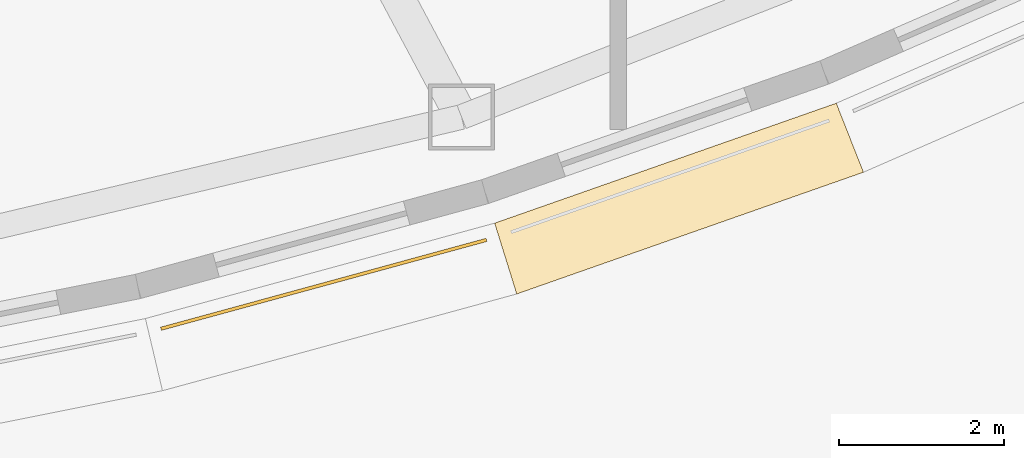
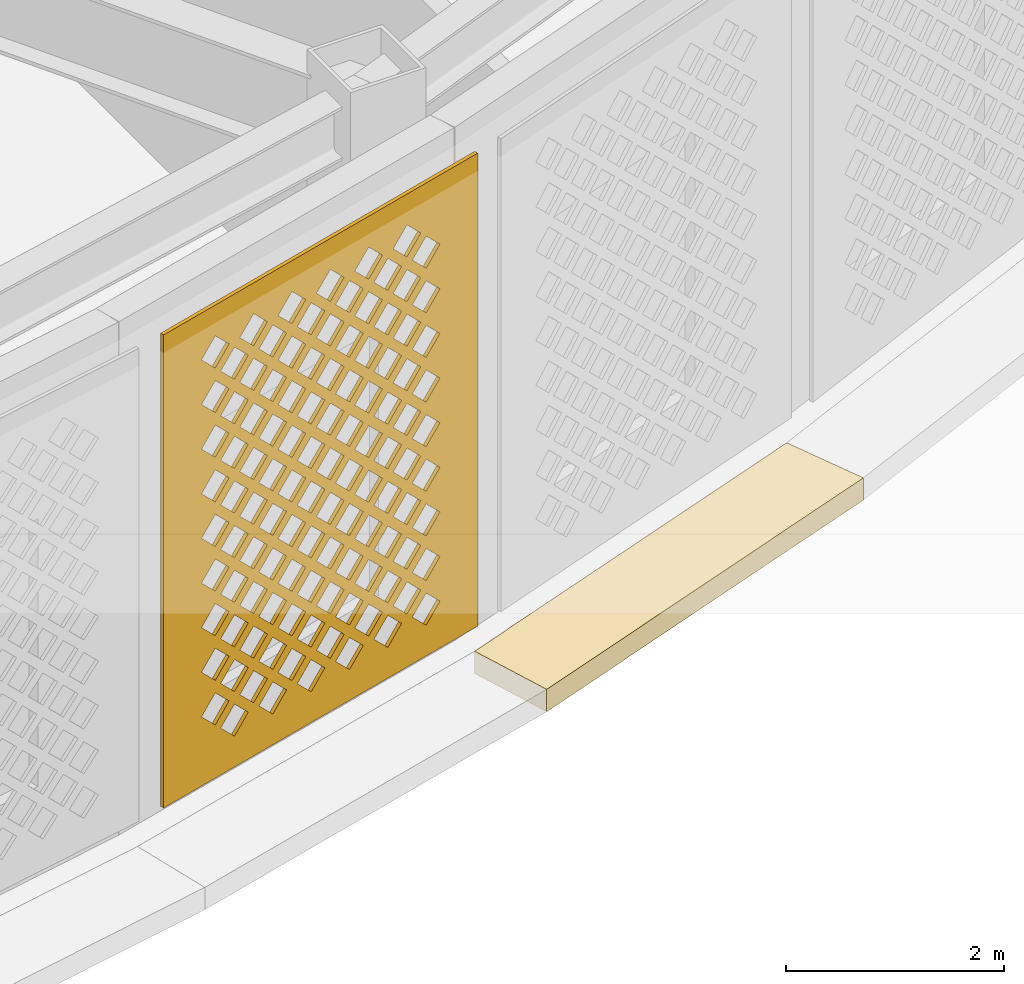
# One storey, part 61 of 74: 2 coverings.
"""IFC4 building model written with IfcOpenShell, lengths in metres."""

from ifc_helpers import new_model, si_unit, direction, frame, origin, place, context, subcontext, project, spatial, polyline, outline, extrude, material, layer, layer_set, type_object, element, save


model = new_model("IFC4")

# Units and contexts
model_context = context("Model", 3, precision=1e-05, world=origin(), true_north=direction((0.0, 1.0)))
body_context = subcontext(model_context, "Body", "Model", "MODEL_VIEW")
ifc_project = project(units=[si_unit("LENGTHUNIT", "METRE"), si_unit("AREAUNIT", "SQUARE_METRE"), si_unit("VOLUMEUNIT", "CUBIC_METRE"), si_unit("PLANEANGLEUNIT", "RADIAN"), si_unit("MASSUNIT", "GRAM", prefix="KILO")], contexts=[model_context])

# Site, building, storey
site_placement = place(None, origin())
site = spatial("IfcSite", under=ifc_project, at=site_placement, CompositionType="ELEMENT")
building_placement = place(site_placement, origin())
building = spatial("IfcBuilding", under=site, at=building_placement, Name="Noorbagh Ring Tower", CompositionType="ELEMENT")
storey_placement = place(building_placement, frame((0.0, 0.0, 7.5)))
storey = spatial("IfcBuildingStorey", under=building, at=storey_placement, Name="L01", CompositionType="ELEMENT", Elevation=7.5)

# Coverings
ifc_material_1 = material(Name="Red sandstone eave", Category="masonry")
covering_type_1 = type_object("IfcCoveringType", Name="STY-CHHAJJA", PredefinedType="USERDEFINED", material=ifc_material_1)
covering_1_placement = place(storey_placement, frame((0.0, 0.0, -0.25)))
element("IfcCovering", 1, at=covering_1_placement, inside=storey, type_object=covering_type_1, Name="Chhajja eave", ObjectType="CHHAJJA", PredefinedType="USERDEFINED", context=body_context, shape_type="SweptSolid", body=[
    extrude(outline(polyline([(19.49853515625, -37.081298828125), (23.647216796875, -35.624755859375), (23.976806640625, -36.462890625), (19.7666015625, -37.941162109375), (19.49853515625, -37.081298828125)])), origin(), (0.0, 0.0, 1.0), 0.25),
])
ifc_material_2 = material(Name="Red sandstone jali", Category="masonry")
ifc_layer = layer(ifc_material_2, 0.0400390625)
ifc_layer_set = layer_set([ifc_layer], Name="Red sandstone jali")
covering_type_2 = type_object("IfcCoveringType", Name="STY-JALI", PredefinedType="USERDEFINED", material=ifc_layer_set)
covering_2_placement = place(storey_placement, frame((15.45166015625, -38.38330078125, 0.449951171875), z_axis=(0.26339977228, -0.964686767797, 0.0), x_axis=(0.964686767797, 0.26339977228, 0.0)))
element("IfcCovering", 2, at=covering_2_placement, inside=storey, type_object=covering_type_2, Name="Jali screen", ObjectType="SCREEN", PredefinedType="USERDEFINED", context=body_context, shape_type="SweptSolid", body=[
    extrude(outline(polyline([(0.0, 0.0), (4.096923828125, 0.0), (4.096923828125, 5.300048828125), (0.0, 5.300048828125), (0.0, 0.0)]), holes=[polyline([(0.743408203125, 0.52490234375), (0.923583984375, 0.344970703125), (1.103515625, 0.52490234375), (0.923583984375, 0.705078125), (0.743408203125, 0.52490234375)]), polyline([(1.243408203125, 0.52490234375), (1.423583984375, 0.344970703125), (1.603515625, 0.52490234375), (1.423583984375, 0.705078125), (1.243408203125, 0.52490234375)]), polyline([(1.743408203125, 0.52490234375), (1.923583984375, 0.344970703125), (2.103515625, 0.52490234375), (1.923583984375, 0.705078125), (1.743408203125, 0.52490234375)]), polyline([(2.243408203125, 0.52490234375), (2.423583984375, 0.344970703125), (2.603515625, 0.52490234375), (2.423583984375, 0.705078125), (2.243408203125, 0.52490234375)]), polyline([(2.743408203125, 0.52490234375), (2.923583984375, 0.344970703125), (3.103515625, 0.52490234375), (2.923583984375, 0.705078125), (2.743408203125, 0.52490234375)]), polyline([(3.243408203125, 0.52490234375), (3.423583984375, 0.344970703125), (3.603515625, 0.52490234375), (3.423583984375, 0.705078125), (3.243408203125, 0.52490234375)]), polyline([(0.493408203125, 0.77490234375), (0.673583984375, 0.594970703125), (0.853515625, 0.77490234375), (0.673583984375, 0.955078125), (0.493408203125, 0.77490234375)]), polyline([(0.993408203125, 0.77490234375), (1.173583984375, 0.594970703125), (1.353515625, 0.77490234375), (1.173583984375, 0.955078125), (0.993408203125, 0.77490234375)]), polyline([(1.493408203125, 0.77490234375), (1.673583984375, 0.594970703125), (1.853515625, 0.77490234375), (1.673583984375, 0.955078125), (1.493408203125, 0.77490234375)]), polyline([(1.993408203125, 0.77490234375), (2.173583984375, 0.594970703125), (2.353515625, 0.77490234375), (2.173583984375, 0.955078125), (1.993408203125, 0.77490234375)]), polyline([(2.493408203125, 0.77490234375), (2.673583984375, 0.594970703125), (2.853515625, 0.77490234375), (2.673583984375, 0.955078125), (2.493408203125, 0.77490234375)]), polyline([(2.993408203125, 0.77490234375), (3.173583984375, 0.594970703125), (3.353515625, 0.77490234375), (3.173583984375, 0.955078125), (2.993408203125, 0.77490234375)]), polyline([(0.743408203125, 1.02490234375), (0.923583984375, 0.844970703125), (1.103515625, 1.02490234375), (0.923583984375, 1.205078125), (0.743408203125, 1.02490234375)]), polyline([(1.243408203125, 1.02490234375), (1.423583984375, 0.844970703125), (1.603515625, 1.02490234375), (1.423583984375, 1.205078125), (1.243408203125, 1.02490234375)]), polyline([(1.743408203125, 1.02490234375), (1.923583984375, 0.844970703125), (2.103515625, 1.02490234375), (1.923583984375, 1.205078125), (1.743408203125, 1.02490234375)]), polyline([(2.243408203125, 1.02490234375), (2.423583984375, 0.844970703125), (2.603515625, 1.02490234375), (2.423583984375, 1.205078125), (2.243408203125, 1.02490234375)]), polyline([(2.743408203125, 1.02490234375), (2.923583984375, 0.844970703125), (3.103515625, 1.02490234375), (2.923583984375, 1.205078125), (2.743408203125, 1.02490234375)]), polyline([(3.243408203125, 1.02490234375), (3.423583984375, 0.844970703125), (3.603515625, 1.02490234375), (3.423583984375, 1.205078125), (3.243408203125, 1.02490234375)]), polyline([(0.493408203125, 1.27490234375), (0.673583984375, 1.094970703125), (0.853515625, 1.27490234375), (0.673583984375, 1.455078125), (0.493408203125, 1.27490234375)]), polyline([(0.993408203125, 1.27490234375), (1.173583984375, 1.094970703125), (1.353515625, 1.27490234375), (1.173583984375, 1.455078125), (0.993408203125, 1.27490234375)]), polyline([(1.493408203125, 1.27490234375), (1.673583984375, 1.094970703125), (1.853515625, 1.27490234375), (1.673583984375, 1.455078125), (1.493408203125, 1.27490234375)]), polyline([(1.993408203125, 1.27490234375), (2.173583984375, 1.094970703125), (2.353515625, 1.27490234375), (2.173583984375, 1.455078125), (1.993408203125, 1.27490234375)]), polyline([(2.493408203125, 1.27490234375), (2.673583984375, 1.094970703125), (2.853515625, 1.27490234375), (2.673583984375, 1.455078125), (2.493408203125, 1.27490234375)]), polyline([(2.993408203125, 1.27490234375), (3.173583984375, 1.094970703125), (3.353515625, 1.27490234375), (3.173583984375, 1.455078125), (2.993408203125, 1.27490234375)]), polyline([(0.743408203125, 1.52490234375), (0.923583984375, 1.344970703125), (1.103515625, 1.52490234375), (0.923583984375, 1.705078125), (0.743408203125, 1.52490234375)]), polyline([(1.243408203125, 1.52490234375), (1.423583984375, 1.344970703125), (1.603515625, 1.52490234375), (1.423583984375, 1.705078125), (1.243408203125, 1.52490234375)]), polyline([(1.743408203125, 1.52490234375), (1.923583984375, 1.344970703125), (2.103515625, 1.52490234375), (1.923583984375, 1.705078125), (1.743408203125, 1.52490234375)]), polyline([(2.243408203125, 1.52490234375), (2.423583984375, 1.344970703125), (2.603515625, 1.52490234375), (2.423583984375, 1.705078125), (2.243408203125, 1.52490234375)]), polyline([(2.743408203125, 1.52490234375), (2.923583984375, 1.344970703125), (3.103515625, 1.52490234375), (2.923583984375, 1.705078125), (2.743408203125, 1.52490234375)]), polyline([(3.243408203125, 1.52490234375), (3.423583984375, 1.344970703125), (3.603515625, 1.52490234375), (3.423583984375, 1.705078125), (3.243408203125, 1.52490234375)]), polyline([(0.493408203125, 1.77490234375), (0.673583984375, 1.594970703125), (0.853515625, 1.77490234375), (0.673583984375, 1.955078125), (0.493408203125, 1.77490234375)]), polyline([(0.993408203125, 1.77490234375), (1.173583984375, 1.594970703125), (1.353515625, 1.77490234375), (1.173583984375, 1.955078125), (0.993408203125, 1.77490234375)]), polyline([(1.493408203125, 1.77490234375), (1.673583984375, 1.594970703125), (1.853515625, 1.77490234375), (1.673583984375, 1.955078125), (1.493408203125, 1.77490234375)]), polyline([(1.993408203125, 1.77490234375), (2.173583984375, 1.594970703125), (2.353515625, 1.77490234375), (2.173583984375, 1.955078125), (1.993408203125, 1.77490234375)]), polyline([(2.493408203125, 1.77490234375), (2.673583984375, 1.594970703125), (2.853515625, 1.77490234375), (2.673583984375, 1.955078125), (2.493408203125, 1.77490234375)]), polyline([(2.993408203125, 1.77490234375), (3.173583984375, 1.594970703125), (3.353515625, 1.77490234375), (3.173583984375, 1.955078125), (2.993408203125, 1.77490234375)]), polyline([(0.743408203125, 2.02490234375), (0.923583984375, 1.844970703125), (1.103515625, 2.02490234375), (0.923583984375, 2.205078125), (0.743408203125, 2.02490234375)]), polyline([(1.243408203125, 2.02490234375), (1.423583984375, 1.844970703125), (1.603515625, 2.02490234375), (1.423583984375, 2.205078125), (1.243408203125, 2.02490234375)]), polyline([(1.743408203125, 2.02490234375), (1.923583984375, 1.844970703125), (2.103515625, 2.02490234375), (1.923583984375, 2.205078125), (1.743408203125, 2.02490234375)]), polyline([(2.243408203125, 2.02490234375), (2.423583984375, 1.844970703125), (2.603515625, 2.02490234375), (2.423583984375, 2.205078125), (2.243408203125, 2.02490234375)]), polyline([(2.743408203125, 2.02490234375), (2.923583984375, 1.844970703125), (3.103515625, 2.02490234375), (2.923583984375, 2.205078125), (2.743408203125, 2.02490234375)]), polyline([(3.243408203125, 2.02490234375), (3.423583984375, 1.844970703125), (3.603515625, 2.02490234375), (3.423583984375, 2.205078125), (3.243408203125, 2.02490234375)]), polyline([(0.493408203125, 2.27490234375), (0.673583984375, 2.094970703125), (0.853515625, 2.27490234375), (0.673583984375, 2.455078125), (0.493408203125, 2.27490234375)]), polyline([(0.993408203125, 2.27490234375), (1.173583984375, 2.094970703125), (1.353515625, 2.27490234375), (1.173583984375, 2.455078125), (0.993408203125, 2.27490234375)]), polyline([(1.493408203125, 2.27490234375), (1.673583984375, 2.094970703125), (1.853515625, 2.27490234375), (1.673583984375, 2.455078125), (1.493408203125, 2.27490234375)]), polyline([(1.993408203125, 2.27490234375), (2.173583984375, 2.094970703125), (2.353515625, 2.27490234375), (2.173583984375, 2.455078125), (1.993408203125, 2.27490234375)]), polyline([(2.493408203125, 2.27490234375), (2.673583984375, 2.094970703125), (2.853515625, 2.27490234375), (2.673583984375, 2.455078125), (2.493408203125, 2.27490234375)]), polyline([(2.993408203125, 2.27490234375), (3.173583984375, 2.094970703125), (3.353515625, 2.27490234375), (3.173583984375, 2.455078125), (2.993408203125, 2.27490234375)]), polyline([(0.743408203125, 2.52490234375), (0.923583984375, 2.344970703125), (1.103515625, 2.52490234375), (0.923583984375, 2.705078125), (0.743408203125, 2.52490234375)]), polyline([(1.243408203125, 2.52490234375), (1.423583984375, 2.344970703125), (1.603515625, 2.52490234375), (1.423583984375, 2.705078125), (1.243408203125, 2.52490234375)]), polyline([(1.743408203125, 2.52490234375), (1.923583984375, 2.344970703125), (2.103515625, 2.52490234375), (1.923583984375, 2.705078125), (1.743408203125, 2.52490234375)]), polyline([(2.243408203125, 2.52490234375), (2.423583984375, 2.344970703125), (2.603515625, 2.52490234375), (2.423583984375, 2.705078125), (2.243408203125, 2.52490234375)]), polyline([(2.743408203125, 2.52490234375), (2.923583984375, 2.344970703125), (3.103515625, 2.52490234375), (2.923583984375, 2.705078125), (2.743408203125, 2.52490234375)]), polyline([(3.243408203125, 2.52490234375), (3.423583984375, 2.344970703125), (3.603515625, 2.52490234375), (3.423583984375, 2.705078125), (3.243408203125, 2.52490234375)]), polyline([(0.493408203125, 2.77490234375), (0.673583984375, 2.594970703125), (0.853515625, 2.77490234375), (0.673583984375, 2.955078125), (0.493408203125, 2.77490234375)]), polyline([(0.993408203125, 2.77490234375), (1.173583984375, 2.594970703125), (1.353515625, 2.77490234375), (1.173583984375, 2.955078125), (0.993408203125, 2.77490234375)]), polyline([(1.493408203125, 2.77490234375), (1.673583984375, 2.594970703125), (1.853515625, 2.77490234375), (1.673583984375, 2.955078125), (1.493408203125, 2.77490234375)]), polyline([(1.993408203125, 2.77490234375), (2.173583984375, 2.594970703125), (2.353515625, 2.77490234375), (2.173583984375, 2.955078125), (1.993408203125, 2.77490234375)]), polyline([(2.493408203125, 2.77490234375), (2.673583984375, 2.594970703125), (2.853515625, 2.77490234375), (2.673583984375, 2.955078125), (2.493408203125, 2.77490234375)]), polyline([(2.993408203125, 2.77490234375), (3.173583984375, 2.594970703125), (3.353515625, 2.77490234375), (3.173583984375, 2.955078125), (2.993408203125, 2.77490234375)]), polyline([(0.743408203125, 3.02490234375), (0.923583984375, 2.844970703125), (1.103515625, 3.02490234375), (0.923583984375, 3.205078125), (0.743408203125, 3.02490234375)]), polyline([(1.243408203125, 3.02490234375), (1.423583984375, 2.844970703125), (1.603515625, 3.02490234375), (1.423583984375, 3.205078125), (1.243408203125, 3.02490234375)]), polyline([(1.743408203125, 3.02490234375), (1.923583984375, 2.844970703125), (2.103515625, 3.02490234375), (1.923583984375, 3.205078125), (1.743408203125, 3.02490234375)]), polyline([(2.243408203125, 3.02490234375), (2.423583984375, 2.844970703125), (2.603515625, 3.02490234375), (2.423583984375, 3.205078125), (2.243408203125, 3.02490234375)]), polyline([(2.743408203125, 3.02490234375), (2.923583984375, 2.844970703125), (3.103515625, 3.02490234375), (2.923583984375, 3.205078125), (2.743408203125, 3.02490234375)]), polyline([(3.243408203125, 3.02490234375), (3.423583984375, 2.844970703125), (3.603515625, 3.02490234375), (3.423583984375, 3.205078125), (3.243408203125, 3.02490234375)]), polyline([(0.493408203125, 3.27490234375), (0.673583984375, 3.094970703125), (0.853515625, 3.27490234375), (0.673583984375, 3.455078125), (0.493408203125, 3.27490234375)]), polyline([(0.993408203125, 3.27490234375), (1.173583984375, 3.094970703125), (1.353515625, 3.27490234375), (1.173583984375, 3.455078125), (0.993408203125, 3.27490234375)]), polyline([(1.493408203125, 3.27490234375), (1.673583984375, 3.094970703125), (1.853515625, 3.27490234375), (1.673583984375, 3.455078125), (1.493408203125, 3.27490234375)]), polyline([(1.993408203125, 3.27490234375), (2.173583984375, 3.094970703125), (2.353515625, 3.27490234375), (2.173583984375, 3.455078125), (1.993408203125, 3.27490234375)]), polyline([(2.493408203125, 3.27490234375), (2.673583984375, 3.094970703125), (2.853515625, 3.27490234375), (2.673583984375, 3.455078125), (2.493408203125, 3.27490234375)]), polyline([(2.993408203125, 3.27490234375), (3.173583984375, 3.094970703125), (3.353515625, 3.27490234375), (3.173583984375, 3.455078125), (2.993408203125, 3.27490234375)]), polyline([(0.743408203125, 3.52490234375), (0.923583984375, 3.344970703125), (1.103515625, 3.52490234375), (0.923583984375, 3.705078125), (0.743408203125, 3.52490234375)]), polyline([(1.243408203125, 3.52490234375), (1.423583984375, 3.344970703125), (1.603515625, 3.52490234375), (1.423583984375, 3.705078125), (1.243408203125, 3.52490234375)]), polyline([(1.743408203125, 3.52490234375), (1.923583984375, 3.344970703125), (2.103515625, 3.52490234375), (1.923583984375, 3.705078125), (1.743408203125, 3.52490234375)]), polyline([(2.243408203125, 3.52490234375), (2.423583984375, 3.344970703125), (2.603515625, 3.52490234375), (2.423583984375, 3.705078125), (2.243408203125, 3.52490234375)]), polyline([(2.743408203125, 3.52490234375), (2.923583984375, 3.344970703125), (3.103515625, 3.52490234375), (2.923583984375, 3.705078125), (2.743408203125, 3.52490234375)]), polyline([(3.243408203125, 3.52490234375), (3.423583984375, 3.344970703125), (3.603515625, 3.52490234375), (3.423583984375, 3.705078125), (3.243408203125, 3.52490234375)]), polyline([(0.493408203125, 3.77490234375), (0.673583984375, 3.594970703125), (0.853515625, 3.77490234375), (0.673583984375, 3.955078125), (0.493408203125, 3.77490234375)]), polyline([(0.993408203125, 3.77490234375), (1.173583984375, 3.594970703125), (1.353515625, 3.77490234375), (1.173583984375, 3.955078125), (0.993408203125, 3.77490234375)]), polyline([(1.493408203125, 3.77490234375), (1.673583984375, 3.594970703125), (1.853515625, 3.77490234375), (1.673583984375, 3.955078125), (1.493408203125, 3.77490234375)]), polyline([(1.993408203125, 3.77490234375), (2.173583984375, 3.594970703125), (2.353515625, 3.77490234375), (2.173583984375, 3.955078125), (1.993408203125, 3.77490234375)]), polyline([(2.493408203125, 3.77490234375), (2.673583984375, 3.594970703125), (2.853515625, 3.77490234375), (2.673583984375, 3.955078125), (2.493408203125, 3.77490234375)]), polyline([(2.993408203125, 3.77490234375), (3.173583984375, 3.594970703125), (3.353515625, 3.77490234375), (3.173583984375, 3.955078125), (2.993408203125, 3.77490234375)]), polyline([(0.743408203125, 4.02490234375), (0.923583984375, 3.844970703125), (1.103515625, 4.02490234375), (0.923583984375, 4.205078125), (0.743408203125, 4.02490234375)]), polyline([(1.243408203125, 4.02490234375), (1.423583984375, 3.844970703125), (1.603515625, 4.02490234375), (1.423583984375, 4.205078125), (1.243408203125, 4.02490234375)]), polyline([(1.743408203125, 4.02490234375), (1.923583984375, 3.844970703125), (2.103515625, 4.02490234375), (1.923583984375, 4.205078125), (1.743408203125, 4.02490234375)]), polyline([(2.243408203125, 4.02490234375), (2.423583984375, 3.844970703125), (2.603515625, 4.02490234375), (2.423583984375, 4.205078125), (2.243408203125, 4.02490234375)]), polyline([(2.743408203125, 4.02490234375), (2.923583984375, 3.844970703125), (3.103515625, 4.02490234375), (2.923583984375, 4.205078125), (2.743408203125, 4.02490234375)]), polyline([(3.243408203125, 4.02490234375), (3.423583984375, 3.844970703125), (3.603515625, 4.02490234375), (3.423583984375, 4.205078125), (3.243408203125, 4.02490234375)]), polyline([(0.493408203125, 4.27490234375), (0.673583984375, 4.094970703125), (0.853515625, 4.27490234375), (0.673583984375, 4.455078125), (0.493408203125, 4.27490234375)]), polyline([(0.993408203125, 4.27490234375), (1.173583984375, 4.094970703125), (1.353515625, 4.27490234375), (1.173583984375, 4.455078125), (0.993408203125, 4.27490234375)]), polyline([(1.493408203125, 4.27490234375), (1.673583984375, 4.094970703125), (1.853515625, 4.27490234375), (1.673583984375, 4.455078125), (1.493408203125, 4.27490234375)]), polyline([(1.993408203125, 4.27490234375), (2.173583984375, 4.094970703125), (2.353515625, 4.27490234375), (2.173583984375, 4.455078125), (1.993408203125, 4.27490234375)]), polyline([(2.493408203125, 4.27490234375), (2.673583984375, 4.094970703125), (2.853515625, 4.27490234375), (2.673583984375, 4.455078125), (2.493408203125, 4.27490234375)]), polyline([(2.993408203125, 4.27490234375), (3.173583984375, 4.094970703125), (3.353515625, 4.27490234375), (3.173583984375, 4.455078125), (2.993408203125, 4.27490234375)]), polyline([(0.743408203125, 4.52490234375), (0.923583984375, 4.344970703125), (1.103515625, 4.52490234375), (0.923583984375, 4.705078125), (0.743408203125, 4.52490234375)]), polyline([(1.243408203125, 4.52490234375), (1.423583984375, 4.344970703125), (1.603515625, 4.52490234375), (1.423583984375, 4.705078125), (1.243408203125, 4.52490234375)]), polyline([(1.743408203125, 4.52490234375), (1.923583984375, 4.344970703125), (2.103515625, 4.52490234375), (1.923583984375, 4.705078125), (1.743408203125, 4.52490234375)]), polyline([(2.243408203125, 4.52490234375), (2.423583984375, 4.344970703125), (2.603515625, 4.52490234375), (2.423583984375, 4.705078125), (2.243408203125, 4.52490234375)]), polyline([(2.743408203125, 4.52490234375), (2.923583984375, 4.344970703125), (3.103515625, 4.52490234375), (2.923583984375, 4.705078125), (2.743408203125, 4.52490234375)]), polyline([(3.243408203125, 4.52490234375), (3.423583984375, 4.344970703125), (3.603515625, 4.52490234375), (3.423583984375, 4.705078125), (3.243408203125, 4.52490234375)]), polyline([(0.493408203125, 4.77490234375), (0.673583984375, 4.594970703125), (0.853515625, 4.77490234375), (0.673583984375, 4.955078125), (0.493408203125, 4.77490234375)]), polyline([(0.993408203125, 4.77490234375), (1.173583984375, 4.594970703125), (1.353515625, 4.77490234375), (1.173583984375, 4.955078125), (0.993408203125, 4.77490234375)]), polyline([(1.493408203125, 4.77490234375), (1.673583984375, 4.594970703125), (1.853515625, 4.77490234375), (1.673583984375, 4.955078125), (1.493408203125, 4.77490234375)]), polyline([(1.993408203125, 4.77490234375), (2.173583984375, 4.594970703125), (2.353515625, 4.77490234375), (2.173583984375, 4.955078125), (1.993408203125, 4.77490234375)]), polyline([(2.493408203125, 4.77490234375), (2.673583984375, 4.594970703125), (2.853515625, 4.77490234375), (2.673583984375, 4.955078125), (2.493408203125, 4.77490234375)]), polyline([(2.993408203125, 4.77490234375), (3.173583984375, 4.594970703125), (3.353515625, 4.77490234375), (3.173583984375, 4.955078125), (2.993408203125, 4.77490234375)])]), origin(), (0.0, 0.0, -1.0), 0.0400390625),
])

save(model, "model.ifc")
